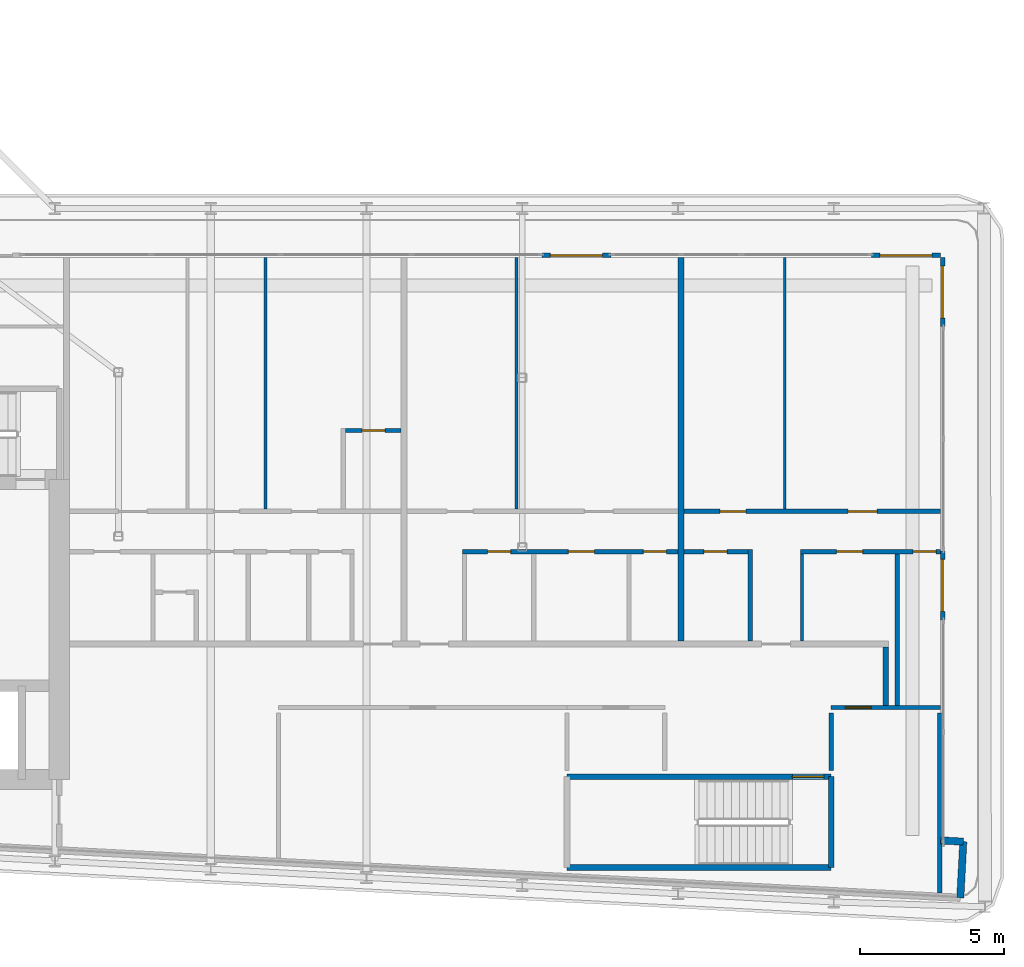
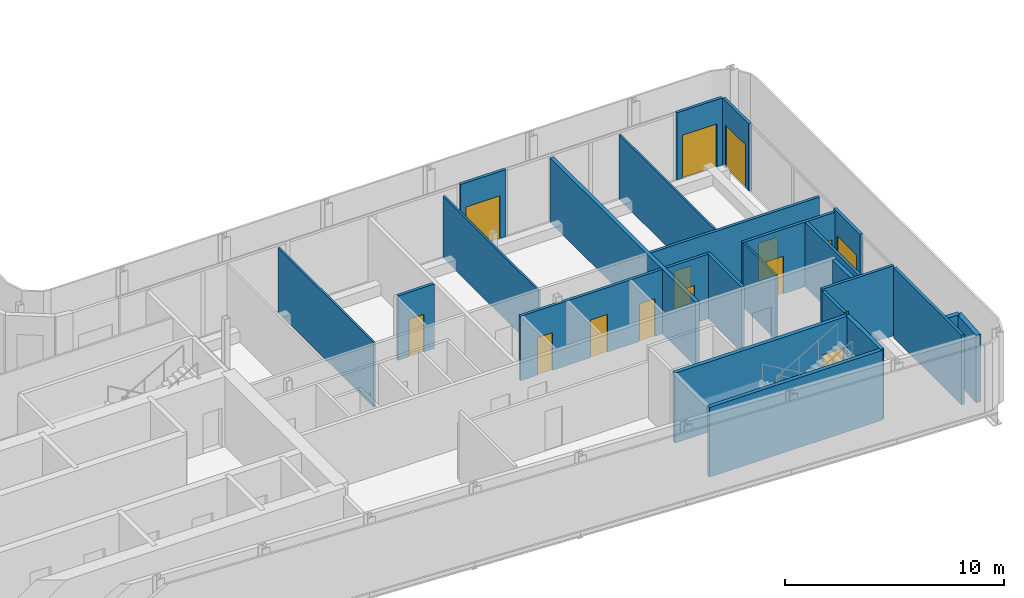
# One storey, part 12 of 22: 25 walls, 15 doors, 15 openings.
"""IFC4 building model written with IfcOpenShell, lengths in metres."""

from ifc_helpers import new_model, si_unit, direction, frame, frame_2d, origin, place, context, subcontext, project, spatial, rectangle, extrude, source, transform, mapped, material, layer, layer_set, type_object, element, fill, save


model = new_model("IFC4")

# Units and contexts
model_context = context("Model", 3, precision=1e-05, world=origin(), true_north=direction((0.0, 1.0)))
body_context = subcontext(model_context, "Body", "Model", "MODEL_VIEW")
ifc_project = project(units=[si_unit("LENGTHUNIT", "METRE"), si_unit("AREAUNIT", "SQUARE_METRE"), si_unit("VOLUMEUNIT", "CUBIC_METRE"), si_unit("PLANEANGLEUNIT", "RADIAN"), si_unit("MASSUNIT", "GRAM", prefix="KILO")], contexts=[model_context])

# Site, building, storey
site_placement = place(None, origin())
site = spatial("IfcSite", under=ifc_project, at=site_placement, CompositionType="ELEMENT")
building_placement = place(site_placement, origin())
building = spatial("IfcBuilding", under=site, at=building_placement, Name="Kheshtan School and Residences Tower", CompositionType="ELEMENT")
storey_placement = place(building_placement, frame((0.0, 0.0, 216.199951171875)))
storey = spatial("IfcBuildingStorey", under=building, at=storey_placement, Name="L50", CompositionType="ELEMENT", Elevation=216.199951171875)

# Walls
ifc_material_1 = material(Name="Gypsum board on steel studs with fire boards", Category="steel")
ifc_layer_1 = layer(ifc_material_1, 0.199951171875)
ifc_layer_set_1 = layer_set([ifc_layer_1], Name="Corridor wall 200")
wall_type_1 = type_object("IfcWallType", Name="Corridor wall 200", PredefinedType="PARTITIONING", material=ifc_layer_set_1)
wall_1_placement = place(storey_placement, frame((81.800048828125, 28.3740234375, 0.0), z_axis=(0.0, 0.0, 1.0), x_axis=(0.0, 1.0, 0.0)))
element("IfcWall", 1, at=wall_1_placement, inside=storey, type_object=wall_type_1, Name="Partition L50-051", PredefinedType="PARTITIONING", context=body_context, shape_type="SweptSolid", body=[
    extrude(rectangle(XDim=2.02587890625, YDim=0.199951171875, at=frame_2d((1.012939453125, 0.0))), origin(), (0.0, 0.0, 1.0), 3.60009765625),
])
ifc_material_2 = material(Name="Concrete C40/50 with ceramic cladding and mineral wool insulation", Category="concrete")
ifc_layer_2 = layer(ifc_material_2, 0.25)
ifc_layer_set_2 = layer_set([ifc_layer_2], Name="External wall 250 ceramic clad")
wall_type_2 = type_object("IfcWallType", Name="External wall 250 ceramic clad", PredefinedType="SOLIDWALL", material=ifc_layer_set_2)
wall_2_placement = place(storey_placement, frame((83.70703125, 23.69189453125, 0.0), z_axis=(0.0, 0.0, 1.0), x_axis=(0.998561284263, -0.053622398031, 0.0)))
element("IfcWall", 2, at=wall_2_placement, inside=storey, type_object=wall_type_2, Name="External wall L50 10", PredefinedType="SOLIDWALL", context=body_context, shape_type="SweptSolid", body=[
    extrude(rectangle(XDim=0.783203125, YDim=0.25, at=frame_2d((0.3916015625, 0.0))), origin(), (0.0, 0.0, 1.0), 3.75),
])
wall_3_placement = place(storey_placement, frame((84.489013671875, 23.64990234375, 0.0), z_axis=(0.0, 0.0, 1.0), x_axis=(-0.052841433274, -0.998602915542, 0.0)))
element("IfcWall", 3, at=wall_3_placement, inside=storey, type_object=wall_type_2, Name="External wall L50 11", PredefinedType="SOLIDWALL", context=body_context, shape_type="SweptSolid", body=[
    extrude(rectangle(XDim=1.94970703125, YDim=0.25, at=frame_2d((0.974853515625, 0.0))), origin(), (0.0, 0.0, 1.0), 3.75),
])

# Wall, opening, door
ifc_material_3 = material(Name="Aluminium frame wall with insulated infill", Category="aluminium")
ifc_layer_3 = layer(ifc_material_3, 0.14990234375)
ifc_layer_set_3 = layer_set([ifc_layer_3], Name="Glazing frame wall 150")
wall_type_3 = type_object("IfcWallType", Name="Glazing frame wall 150", PredefinedType="SOLIDWALL", material=ifc_layer_set_3)
wall_4_placement = place(storey_placement, frame((69.876953125, 43.97509765625, 0.0), z_axis=(0.0, 0.0, 1.0), x_axis=(1.0, 0.0, 0.0)))
wall_4 = element("IfcWall", 4, at=wall_4_placement, inside=storey, type_object=wall_type_3, Name="Balcony door wall L50 8.2", PredefinedType="SOLIDWALL", context=body_context, shape_type="SweptSolid", body=[
    extrude(rectangle(XDim=2.400146484375, YDim=0.14990234375, at=frame_2d((1.2001953125, 0.0))), origin(), (0.0, 0.0, 1.0), 3.75),
])
opening_1_placement = place(wall_4_placement, frame((0.300048828125, 0.0, 0.0)))
opening_1 = element("IfcOpeningElement", 5, at=opening_1_placement, cuts=wall_4, Name="Opening BD", PredefinedType="OPENING", context=body_context, shape_type="SweptSolid", body=[
    extrude(rectangle(XDim=1.800048828125, YDim=2.39990234375, at=frame_2d((0.89990234375, 1.199951171875))), frame((0.0, 0.0849609375, 0.0), z_axis=(0.0, -1.0, 0.0), x_axis=(1.0, 0.0, 0.0)), (0.0, 0.0, 1.0), 0.169921875),
])
ifc_material_4 = material(Name="Clear low-e glass in thermally broken aluminium frame", Category="aluminium")
door_type_1 = type_object("IfcDoorType", Name="Balcony sliding door", OperationType="SLIDING_TO_LEFT", PredefinedType="DOOR", material=ifc_material_4)
shared_shape_1 = source(origin(), body_context, "Body", "SweptSolid", [
    extrude(rectangle(XDim=1.800048828125, YDim=2.39990234375, at=frame_2d((0.89990234375, 1.199951171875))), frame((0.0, 0.02490234375, 0.0), z_axis=(0.0, -1.0, 0.0), x_axis=(1.0, 0.0, 0.0)), (0.0, 0.0, 1.0), 0.050048828125),
])
door_1_placement = place(opening_1_placement, origin())
door_1 = element("IfcDoor", 6, at=door_1_placement, inside=storey, type_object=door_type_1, Name="Balcony door L50 8.2", OperationType="SLIDING_TO_LEFT", OverallHeight=2.39990234375, OverallWidth=1.800048828125, PredefinedType="DOOR", context=body_context, shape_type="MappedRepresentation", body=[
    mapped(shared_shape_1, transform((0.0, 0.0, 0.0), x_axis=(1.0, 0.0, 0.0), y_axis=(0.0, 1.0, 0.0), z_axis=(0.0, 0.0, 1.0), scale=1.0)),
])
fill(opening_1, door_1)

wall_5_placement = place(storey_placement, frame((81.300048828125, 43.97509765625, 0.0), z_axis=(0.0, 0.0, 1.0), x_axis=(1.0, 0.0, 0.0)))
wall_5 = element("IfcWall", 7, at=wall_5_placement, inside=storey, type_object=wall_type_3, Name="Balcony door wall L50 8.3", PredefinedType="SOLIDWALL", context=body_context, shape_type="SweptSolid", body=[
    extrude(rectangle(XDim=2.39990234375, YDim=0.14990234375, at=frame_2d((1.199951171875, 0.0))), origin(), (0.0, 0.0, 1.0), 3.75),
])
opening_2_placement = place(wall_5_placement, frame((0.300048828125, 0.0, 0.0)))
opening_2 = element("IfcOpeningElement", 8, at=opening_2_placement, cuts=wall_5, Name="Opening BD", PredefinedType="OPENING", context=body_context, shape_type="SweptSolid", body=[
    extrude(rectangle(XDim=1.800048828125, YDim=2.39990234375, at=frame_2d((0.89990234375, 1.199951171875))), frame((0.0, 0.0849609375, 0.0), z_axis=(0.0, -1.0, 0.0), x_axis=(1.0, 0.0, 0.0)), (0.0, 0.0, 1.0), 0.169921875),
])
door_2_placement = place(opening_2_placement, origin())
door_2 = element("IfcDoor", 9, at=door_2_placement, inside=storey, type_object=door_type_1, Name="Balcony door L50 8.3", OperationType="SLIDING_TO_LEFT", OverallHeight=2.39990234375, OverallWidth=1.800048828125, PredefinedType="DOOR", context=body_context, shape_type="MappedRepresentation", body=[
    mapped(shared_shape_1, transform((0.0, 0.0, 0.0), x_axis=(1.0, 0.0, 0.0), y_axis=(0.0, 1.0, 0.0), z_axis=(0.0, 0.0, 1.0), scale=1.0)),
])
fill(opening_2, door_2)

wall_6_placement = place(storey_placement, frame((83.77490234375, 43.89990234375, 0.0), z_axis=(0.0, 0.0, 1.0), x_axis=(0.0, -1.0, 0.0)))
wall_6 = element("IfcWall", 10, at=wall_6_placement, inside=storey, type_object=wall_type_3, Name="Balcony door wall L50 9.1", PredefinedType="SOLIDWALL", context=body_context, shape_type="SweptSolid", body=[
    extrude(rectangle(XDim=2.39990234375, YDim=0.14990234375, at=frame_2d((1.199951171875, 0.0))), origin(), (0.0, 0.0, 1.0), 3.75),
])
opening_3_placement = place(wall_6_placement, frame((0.300048828125, 0.0, 0.0)))
opening_3 = element("IfcOpeningElement", 11, at=opening_3_placement, cuts=wall_6, Name="Opening BD", PredefinedType="OPENING", context=body_context, shape_type="SweptSolid", body=[
    extrude(rectangle(XDim=1.800048828125, YDim=2.39990234375, at=frame_2d((0.89990234375, 1.199951171875))), frame((0.0, 0.0849609375, 0.0), z_axis=(0.0, -1.0, 0.0), x_axis=(1.0, 0.0, 0.0)), (0.0, 0.0, 1.0), 0.169921875),
])
door_3_placement = place(opening_3_placement, origin())
door_3 = element("IfcDoor", 12, at=door_3_placement, inside=storey, type_object=door_type_1, Name="Balcony door L50 9.1", OperationType="SLIDING_TO_LEFT", OverallHeight=2.39990234375, OverallWidth=1.800048828125, PredefinedType="DOOR", context=body_context, shape_type="MappedRepresentation", body=[
    mapped(shared_shape_1, transform((0.0, 0.0, 0.0), x_axis=(1.0, 0.0, 0.0), y_axis=(0.0, 1.0, 0.0), z_axis=(0.0, 0.0, 1.0), scale=1.0)),
])
fill(opening_3, door_3)

wall_7_placement = place(storey_placement, frame((83.77490234375, 33.73291015625, 0.0), z_axis=(0.0, 0.0, 1.0), x_axis=(0.0, -1.0, 0.0)))
wall_7 = element("IfcWall", 13, at=wall_7_placement, inside=storey, type_object=wall_type_3, Name="Balcony door wall L50 9.2", PredefinedType="SOLIDWALL", context=body_context, shape_type="SweptSolid", body=[
    extrude(rectangle(XDim=2.39892578125, YDim=0.14990234375, at=frame_2d((1.199462890625, 0.0))), origin(), (0.0, 0.0, 1.0), 3.75),
])
opening_4_placement = place(wall_7_placement, frame((0.300048828125, 0.0, 0.0)))
opening_4 = element("IfcOpeningElement", 14, at=opening_4_placement, cuts=wall_7, Name="Opening BD", PredefinedType="OPENING", context=body_context, shape_type="SweptSolid", body=[
    extrude(rectangle(XDim=1.800048828125, YDim=2.39990234375, at=frame_2d((0.89990234375, 1.199951171875))), frame((0.0, 0.0849609375, 0.0), z_axis=(0.0, -1.0, 0.0), x_axis=(1.0, 0.0, 0.0)), (0.0, 0.0, 1.0), 0.169921875),
])
door_4_placement = place(opening_4_placement, origin())
door_4 = element("IfcDoor", 15, at=door_4_placement, inside=storey, type_object=door_type_1, Name="Balcony door L50 9.2", OperationType="SLIDING_TO_LEFT", OverallHeight=2.39990234375, OverallWidth=1.800048828125, PredefinedType="DOOR", context=body_context, shape_type="MappedRepresentation", body=[
    mapped(shared_shape_1, transform((0.0, 0.0, 0.0), x_axis=(1.0, 0.0, 0.0), y_axis=(0.0, 1.0, 0.0), z_axis=(0.0, 0.0, 1.0), scale=1.0)),
])
fill(opening_4, door_4)

# Walls
ifc_material_5 = material(Name="Gypsum board on steel studs", Category="steel")
ifc_layer_4 = layer(ifc_material_5, 0.10009765625)
ifc_layer_set_4 = layer_set([ifc_layer_4], Name="Gypsum partition 100")
wall_type_4 = type_object("IfcWallType", Name="Gypsum partition 100", PredefinedType="PARTITIONING", material=ifc_layer_set_4)
wall_8_placement = place(storey_placement, frame((60.300048828125, 35.175048828125, 0.0), z_axis=(0.0, 0.0, 1.0), x_axis=(0.0, 1.0, 0.0)))
element("IfcWall", 16, at=wall_8_placement, inside=storey, type_object=wall_type_4, Name="Partition L50-032", PredefinedType="PARTITIONING", context=body_context, shape_type="SweptSolid", body=[
    extrude(rectangle(XDim=8.724853515625, YDim=0.10009765625, at=frame_2d((4.3623046875, 0.0))), origin(), (0.0, 0.0, 1.0), 3.60009765625),
])
wall_9_placement = place(storey_placement, frame((69.0, 35.175048828125, 0.0), z_axis=(0.0, 0.0, 1.0), x_axis=(0.0, 1.0, 0.0)))
element("IfcWall", 17, at=wall_9_placement, inside=storey, type_object=wall_type_4, Name="Partition L50-041", PredefinedType="PARTITIONING", context=body_context, shape_type="SweptSolid", body=[
    extrude(rectangle(XDim=8.724853515625, YDim=0.10009765625, at=frame_2d((4.3623046875, 0.0))), origin(), (0.0, 0.0, 1.0), 3.447021484375),
])
wall_10_placement = place(storey_placement, frame((78.300048828125, 35.175048828125, 0.0), z_axis=(0.0, 0.0, 1.0), x_axis=(0.0, 1.0, 0.0)))
element("IfcWall", 18, at=wall_10_placement, inside=storey, type_object=wall_type_4, Name="Partition L50-048", PredefinedType="PARTITIONING", context=body_context, shape_type="SweptSolid", body=[
    extrude(rectangle(XDim=8.724853515625, YDim=0.10009765625, at=frame_2d((4.3623046875, 0.0))), origin(), (0.0, 0.0, 1.0), 3.60009765625),
])
wall_11_placement = place(storey_placement, frame((78.89990234375, 30.60009765625, 0.0), z_axis=(0.0, 0.0, 1.0), x_axis=(0.0, 1.0, 0.0)))
element("IfcWall", 19, at=wall_11_placement, inside=storey, type_object=wall_type_4, Name="Partition L50-050", PredefinedType="PARTITIONING", context=body_context, shape_type="SweptSolid", body=[
    extrude(rectangle(XDim=3.02490234375, YDim=0.10009765625, at=frame_2d((1.512451171875, 0.0))), origin(), (0.0, 0.0, 1.0), 3.60009765625),
])

# Wall, opening, door
ifc_material_6 = material(Name="Fire-board shaft wall system")
ifc_layer_5 = layer(ifc_material_6, 0.14990234375)
ifc_layer_set_5 = layer_set([ifc_layer_5], Name="Service room wall 150")
wall_type_5 = type_object("IfcWallType", Name="Service room wall 150", PredefinedType="PARTITIONING", material=ifc_layer_set_5)
wall_12_placement = place(storey_placement, frame((79.909912109375, 28.300048828125, 0.0), z_axis=(0.0, 0.0, 1.0), x_axis=(1.0, 0.0, 0.0)))
wall_12 = element("IfcWall", 20, at=wall_12_placement, inside=storey, type_object=wall_type_5, Name="Service room wall", PredefinedType="PARTITIONING", context=body_context, shape_type="SweptSolid", body=[
    extrude(rectangle(XDim=3.7880859375, YDim=0.14990234375, at=frame_2d((1.89404296875, 0.0))), origin(), (0.0, 0.0, 1.0), 3.900146484375),
])
opening_5_placement = place(wall_12_placement, frame((0.4951171875, 0.0, 0.0)))
opening_5 = element("IfcOpeningElement", 21, at=opening_5_placement, cuts=wall_12, Name="Opening SR90", PredefinedType="OPENING", context=body_context, shape_type="SweptSolid", body=[
    extrude(rectangle(XDim=0.89990234375, YDim=2.199951171875, at=frame_2d((0.449951171875, 1.10009765625))), frame((0.0, 0.0849609375, 0.0), z_axis=(0.0, -1.0, 0.0), x_axis=(1.0, 0.0, 0.0)), (0.0, 0.0, 1.0), 0.169921875),
])
ifc_material_7 = material(Name="Steel door leaf, galvanised", Category="steel")
door_type_2 = type_object("IfcDoorType", Name="Service room door 900 steel 90 min", OperationType="SINGLE_SWING_LEFT", PredefinedType="DOOR", material=ifc_material_7)
shared_shape_2 = source(origin(), body_context, "Body", "SweptSolid", [
    extrude(rectangle(XDim=0.89990234375, YDim=2.199951171875, at=frame_2d((0.449951171875, 1.10009765625))), frame((0.0, 0.02490234375, 0.0), z_axis=(0.0, -1.0, 0.0), x_axis=(1.0, 0.0, 0.0)), (0.0, 0.0, 1.0), 0.050048828125),
])
door_5_placement = place(opening_5_placement, origin())
door_5 = element("IfcDoor", 22, at=door_5_placement, inside=storey, type_object=door_type_2, Name="Service room door", OperationType="SINGLE_SWING_RIGHT", OverallHeight=2.199951171875, OverallWidth=0.89990234375, PredefinedType="DOOR", context=body_context, shape_type="MappedRepresentation", body=[
    mapped(shared_shape_2, transform((0.0, 0.0, 0.0), x_axis=(1.0, 0.0, 0.0), y_axis=(0.0, 1.0, 0.0), z_axis=(0.0, 0.0, 1.0), scale=1.0)),
])
fill(opening_5, door_5)

# Walls
wall_13_placement = place(storey_placement, frame((79.909912109375, 26.1201171875, 0.0), z_axis=(0.0, 0.0, 1.0), x_axis=(0.0, 1.0, 0.0)))
element("IfcWall", 23, at=wall_13_placement, inside=storey, type_object=wall_type_5, Name="Service room wall", PredefinedType="PARTITIONING", context=body_context, shape_type="SweptSolid", body=[
    extrude(rectangle(XDim=1.98486328125, YDim=0.14990234375, at=frame_2d((0.992431640625, 0.0))), origin(), (0.0, 0.0, 1.0), 3.900146484375),
])
wall_14_placement = place(storey_placement, frame((83.669921875, 21.867919921875, 0.0), z_axis=(0.0, 0.0, 1.0), x_axis=(0.0, 1.0, 0.0)))
element("IfcWall", 24, at=wall_14_placement, inside=storey, type_object=wall_type_5, Name="Service room wall", PredefinedType="PARTITIONING", context=body_context, shape_type="SweptSolid", body=[
    extrude(rectangle(XDim=6.237060546875, YDim=0.14990234375, at=frame_2d((3.11865234375, 0.0))), origin(), (0.0, 0.0, 1.0), 3.900146484375),
])
ifc_material_8 = material(Name="Concrete C40/50", Category="concrete")
ifc_layer_6 = layer(ifc_material_8, 0.199951171875)
ifc_layer_set_6 = layer_set([ifc_layer_6], Name="Stair enclosure wall 200 Concrete C40/50")
wall_type_6 = type_object("IfcWallType", Name="Stair enclosure wall 200 Concrete C40/50", PredefinedType="SHEAR", material=ifc_layer_set_6)
wall_15_placement = place(storey_placement, frame((70.75, 22.75, 0.0), z_axis=(0.0, 0.0, 1.0), x_axis=(1.0, 0.0, 0.0)))
element("IfcWall", 25, at=wall_15_placement, inside=storey, type_object=wall_type_6, Name="Stair enclosure wall ST5", PredefinedType="SHEAR", context=body_context, shape_type="SweptSolid", body=[
    extrude(rectangle(XDim=9.159912109375, YDim=0.199951171875, at=frame_2d((4.580078125, 0.0))), origin(), (0.0, 0.0, 1.0), 3.900146484375),
])

# Wall, opening, door
wall_16_placement = place(storey_placement, frame((70.75, 25.89990234375, 0.0), z_axis=(0.0, 0.0, 1.0), x_axis=(1.0, 0.0, 0.0)))
wall_16 = element("IfcWall", 26, at=wall_16_placement, inside=storey, type_object=wall_type_6, Name="Stair enclosure wall ST5", PredefinedType="SHEAR", context=body_context, shape_type="SweptSolid", body=[
    extrude(rectangle(XDim=9.159912109375, YDim=0.199951171875, at=frame_2d((4.580078125, 0.0))), origin(), (0.0, 0.0, 1.0), 3.900146484375),
])
opening_6_placement = place(wall_16_placement, frame((7.81005859375, 0.0, 0.0)))
opening_6 = element("IfcOpeningElement", 27, at=opening_6_placement, cuts=wall_16, Name="Opening ST5D", PredefinedType="OPENING", context=body_context, shape_type="SweptSolid", body=[
    extrude(rectangle(XDim=1.10009765625, YDim=2.199951171875, at=frame_2d((0.550048828125, 1.10009765625))), frame((0.0, 0.10986328125, 0.0), z_axis=(0.0, -1.0, 0.0), x_axis=(1.0, 0.0, 0.0)), (0.0, 0.0, 1.0), 0.219970703125),
])
door_type_3 = type_object("IfcDoorType", Name="Stair door 1100 steel 90 min", OperationType="SINGLE_SWING_LEFT", PredefinedType="DOOR", material=ifc_material_7)
shared_shape_3 = source(origin(), body_context, "Body", "SweptSolid", [
    extrude(rectangle(XDim=1.10009765625, YDim=2.199951171875, at=frame_2d((0.550048828125, 1.10009765625))), frame((0.0, 0.02490234375, 0.0), z_axis=(0.0, -1.0, 0.0), x_axis=(1.0, 0.0, 0.0)), (0.0, 0.0, 1.0), 0.050048828125),
])
door_6_placement = place(opening_6_placement, origin())
door_6 = element("IfcDoor", 28, at=door_6_placement, inside=storey, type_object=door_type_3, Name="Stair ST5 door", OperationType="SINGLE_SWING_LEFT", OverallHeight=2.199951171875, OverallWidth=1.10009765625, PredefinedType="DOOR", context=body_context, shape_type="MappedRepresentation", body=[
    mapped(shared_shape_3, transform((0.0, 0.0, 0.0), x_axis=(1.0, 0.0, 0.0), y_axis=(0.0, 1.0, 0.0), z_axis=(0.0, 0.0, 1.0), scale=1.0)),
])
fill(opening_6, door_6)

# Walls
wall_17_placement = place(storey_placement, frame((79.909912109375, 22.75, 0.0), z_axis=(0.0, 0.0, 1.0), x_axis=(0.0, 1.0, 0.0)))
element("IfcWall", 29, at=wall_17_placement, inside=storey, type_object=wall_type_6, Name="Stair enclosure wall ST5", PredefinedType="SHEAR", context=body_context, shape_type="SweptSolid", body=[
    extrude(rectangle(XDim=3.14990234375, YDim=0.199951171875, at=frame_2d((1.574951171875, 0.0))), origin(), (0.0, 0.0, 1.0), 3.900146484375),
])
ifc_material_9 = material(Name="Twin gypsum board on steel studs with mineral wool", Category="steel")
ifc_layer_7 = layer(ifc_material_9, 0.199951171875)
ifc_layer_set_7 = layer_set([ifc_layer_7], Name="Unit demising wall 200")
wall_type_7 = type_object("IfcWallType", Name="Unit demising wall 200", PredefinedType="PARTITIONING", material=ifc_layer_set_7)
wall_18_placement = place(storey_placement, frame((74.699951171875, 30.60009765625, 0.0), z_axis=(0.0, 0.0, 1.0), x_axis=(0.0, 1.0, 0.0)))
element("IfcWall", 30, at=wall_18_placement, inside=storey, type_object=wall_type_7, Name="Partition L50-044", PredefinedType="PARTITIONING", context=body_context, shape_type="SweptSolid", body=[
    extrude(rectangle(XDim=13.2998046875, YDim=0.199951171875, at=frame_2d((6.64990234375, 0.0))), origin(), (0.0, 0.0, 1.0), 3.60009765625),
])

# Wall, opening, door
ifc_material_10 = material(Name="Moisture-resistant gypsum board on steel studs", Category="steel")
ifc_layer_8 = layer(ifc_material_10, 0.14990234375)
ifc_layer_set_8 = layer_set([ifc_layer_8], Name="Wet-room partition 150")
wall_type_8 = type_object("IfcWallType", Name="Wet-room partition 150", PredefinedType="PARTITIONING", material=ifc_layer_set_8)
wall_19_placement = place(storey_placement, frame((63.074951171875, 37.89990234375, 0.0), z_axis=(0.0, 0.0, 1.0), x_axis=(1.0, 0.0, 0.0)))
wall_19 = element("IfcWall", 31, at=wall_19_placement, inside=storey, type_object=wall_type_8, Name="Partition L50-035", PredefinedType="PARTITIONING", context=body_context, shape_type="SweptSolid", body=[
    extrude(rectangle(XDim=1.925048828125, YDim=0.14990234375, at=frame_2d((0.96240234375, 0.0))), origin(), (0.0, 0.0, 1.0), 3.60009765625),
])
opening_7_placement = place(wall_19_placement, frame((0.574951171875, 0.0, 0.0)))
opening_7 = element("IfcOpeningElement", 32, at=opening_7_placement, cuts=wall_19, Name="Opening D50-003", PredefinedType="OPENING", context=body_context, shape_type="SweptSolid", body=[
    extrude(rectangle(XDim=0.800048828125, YDim=2.10009765625, at=frame_2d((0.39990234375, 1.050048828125))), frame((0.0, 0.0849609375, 0.0), z_axis=(0.0, -1.0, 0.0), x_axis=(1.0, 0.0, 0.0)), (0.0, 0.0, 1.0), 0.169921875),
])
ifc_material_11 = material(Name="Veneered timber door leaf", Category="wood")
door_type_4 = type_object("IfcDoorType", Name="Door 800 x 2100", OperationType="SINGLE_SWING_LEFT", PredefinedType="DOOR", material=ifc_material_11)
shared_shape_4 = source(origin(), body_context, "Body", "SweptSolid", [
    extrude(rectangle(XDim=0.800048828125, YDim=2.10009765625, at=frame_2d((0.39990234375, 1.050048828125))), frame((0.0, 0.02490234375, 0.0), z_axis=(0.0, -1.0, 0.0), x_axis=(1.0, 0.0, 0.0)), (0.0, 0.0, 1.0), 0.050048828125),
])
door_7_placement = place(opening_7_placement, origin())
door_7 = element("IfcDoor", 33, at=door_7_placement, inside=storey, type_object=door_type_4, Name="Door D50-003", OperationType="SINGLE_SWING_LEFT", OverallHeight=2.10009765625, OverallWidth=0.800048828125, PredefinedType="DOOR", context=body_context, shape_type="MappedRepresentation", body=[
    mapped(shared_shape_4, transform((0.0, 0.0, 0.0), x_axis=(1.0, 0.0, 0.0), y_axis=(0.0, 1.0, 0.0), z_axis=(0.0, 0.0, 1.0), scale=1.0)),
])
fill(opening_7, door_7)

# Wall, openings, doors
wall_20_placement = place(storey_placement, frame((67.125, 33.699951171875, 0.0), z_axis=(0.0, 0.0, 1.0), x_axis=(1.0, 0.0, 0.0)))
wall_20 = element("IfcWall", 34, at=wall_20_placement, inside=storey, type_object=wall_type_8, Name="Partition L50-039", PredefinedType="PARTITIONING", context=body_context, shape_type="SweptSolid", body=[
    extrude(rectangle(XDim=7.47509765625, YDim=0.14990234375, at=frame_2d((3.737548828125, 0.0))), origin(), (0.0, 0.0, 1.0), 3.60009765625),
])
opening_8_placement = place(wall_20_placement, frame((0.875, 0.0, 0.0)))
opening_8 = element("IfcOpeningElement", 35, at=opening_8_placement, cuts=wall_20, Name="Opening D50-011", PredefinedType="OPENING", context=body_context, shape_type="SweptSolid", body=[
    extrude(rectangle(XDim=0.800048828125, YDim=2.10009765625, at=frame_2d((0.39990234375, 1.050048828125))), frame((0.0, 0.0849609375, 0.0), z_axis=(0.0, -1.0, 0.0), x_axis=(1.0, 0.0, 0.0)), (0.0, 0.0, 1.0), 0.169921875),
])
opening_9_placement = place(wall_20_placement, frame((3.675048828125, 0.0, 0.0)))
opening_9 = element("IfcOpeningElement", 36, at=opening_9_placement, cuts=wall_20, Name="Opening D50-014", PredefinedType="OPENING", context=body_context, shape_type="SweptSolid", body=[
    extrude(rectangle(XDim=0.89990234375, YDim=2.10009765625, at=frame_2d((0.449951171875, 1.050048828125))), frame((0.0, 0.0849609375, 0.0), z_axis=(0.0, -1.0, 0.0), x_axis=(1.0, 0.0, 0.0)), (0.0, 0.0, 1.0), 0.169921875),
])
opening_10_placement = place(wall_20_placement, frame((6.27490234375, 0.0, 0.0)))
opening_10 = element("IfcOpeningElement", 37, at=opening_10_placement, cuts=wall_20, Name="Opening D50-016", PredefinedType="OPENING", context=body_context, shape_type="SweptSolid", body=[
    extrude(rectangle(XDim=0.800048828125, YDim=2.10009765625, at=frame_2d((0.39990234375, 1.050048828125))), frame((0.0, 0.0849609375, 0.0), z_axis=(0.0, -1.0, 0.0), x_axis=(1.0, 0.0, 0.0)), (0.0, 0.0, 1.0), 0.169921875),
])
door_8_placement = place(opening_8_placement, origin())
door_8 = element("IfcDoor", 38, at=door_8_placement, inside=storey, type_object=door_type_4, Name="Door D50-011", OperationType="SINGLE_SWING_RIGHT", OverallHeight=2.10009765625, OverallWidth=0.800048828125, PredefinedType="DOOR", context=body_context, shape_type="MappedRepresentation", body=[
    mapped(shared_shape_4, transform((0.0, 0.0, 0.0), x_axis=(1.0, 0.0, 0.0), y_axis=(0.0, 1.0, 0.0), z_axis=(0.0, 0.0, 1.0), scale=1.0)),
])
fill(opening_8, door_8)
door_9_placement = place(opening_10_placement, origin())
door_9 = element("IfcDoor", 39, at=door_9_placement, inside=storey, type_object=door_type_4, Name="Door D50-016", OperationType="SINGLE_SWING_RIGHT", OverallHeight=2.10009765625, OverallWidth=0.800048828125, PredefinedType="DOOR", context=body_context, shape_type="MappedRepresentation", body=[
    mapped(shared_shape_4, transform((0.0, 0.0, 0.0), x_axis=(1.0, 0.0, 0.0), y_axis=(0.0, 1.0, 0.0), z_axis=(0.0, 0.0, 1.0), scale=1.0)),
])
fill(opening_10, door_9)
door_type_5 = type_object("IfcDoorType", Name="Door 900 x 2100", OperationType="SINGLE_SWING_LEFT", PredefinedType="DOOR", material=ifc_material_11)
shared_shape_5 = source(origin(), body_context, "Body", "SweptSolid", [
    extrude(rectangle(XDim=0.89990234375, YDim=2.10009765625, at=frame_2d((0.449951171875, 1.050048828125))), frame((0.0, 0.02490234375, 0.0), z_axis=(0.0, -1.0, 0.0), x_axis=(1.0, 0.0, 0.0)), (0.0, 0.0, 1.0), 0.050048828125),
])
door_10_placement = place(opening_9_placement, origin())
door_10 = element("IfcDoor", 40, at=door_10_placement, inside=storey, type_object=door_type_5, Name="Door D50-014", OperationType="SINGLE_SWING_RIGHT", OverallHeight=2.10009765625, OverallWidth=0.89990234375, PredefinedType="DOOR", context=body_context, shape_type="MappedRepresentation", body=[
    mapped(shared_shape_5, transform((0.0, 0.0, 0.0), x_axis=(1.0, 0.0, 0.0), y_axis=(0.0, 1.0, 0.0), z_axis=(0.0, 0.0, 1.0), scale=1.0)),
])
fill(opening_9, door_10)

# Wall, opening, door
wall_21_placement = place(storey_placement, frame((74.800048828125, 33.699951171875, 0.0), z_axis=(0.0, 0.0, 1.0), x_axis=(1.0, 0.0, 0.0)))
wall_21 = element("IfcWall", 41, at=wall_21_placement, inside=storey, type_object=wall_type_8, Name="Partition L50-045", PredefinedType="PARTITIONING", context=body_context, shape_type="SweptSolid", body=[
    extrude(rectangle(XDim=2.224853515625, YDim=0.14990234375, at=frame_2d((1.1123046875, 0.0))), origin(), (0.0, 0.0, 1.0), 3.60009765625),
])
opening_11_placement = place(wall_21_placement, frame((0.699951171875, 0.0, 0.0)))
opening_11 = element("IfcOpeningElement", 42, at=opening_11_placement, cuts=wall_21, Name="Opening D50-017", PredefinedType="OPENING", context=body_context, shape_type="SweptSolid", body=[
    extrude(rectangle(XDim=0.800048828125, YDim=2.10009765625, at=frame_2d((0.39990234375, 1.050048828125))), frame((0.0, 0.0849609375, 0.0), z_axis=(0.0, -1.0, 0.0), x_axis=(1.0, 0.0, 0.0)), (0.0, 0.0, 1.0), 0.169921875),
])
door_11_placement = place(opening_11_placement, origin())
door_11 = element("IfcDoor", 43, at=door_11_placement, inside=storey, type_object=door_type_4, Name="Door D50-017", OperationType="SINGLE_SWING_RIGHT", OverallHeight=2.10009765625, OverallWidth=0.800048828125, PredefinedType="DOOR", context=body_context, shape_type="MappedRepresentation", body=[
    mapped(shared_shape_4, transform((0.0, 0.0, 0.0), x_axis=(1.0, 0.0, 0.0), y_axis=(0.0, 1.0, 0.0), z_axis=(0.0, 0.0, 1.0), scale=1.0)),
])
fill(opening_11, door_11)

# Wall, openings, doors
wall_22_placement = place(storey_placement, frame((74.800048828125, 35.10009765625, 0.0), z_axis=(0.0, 0.0, 1.0), x_axis=(1.0, 0.0, 0.0)))
wall_22 = element("IfcWall", 44, at=wall_22_placement, inside=storey, type_object=wall_type_8, Name="Partition L50-046", PredefinedType="PARTITIONING", context=body_context, shape_type="SweptSolid", body=[
    extrude(rectangle(XDim=8.89990234375, YDim=0.14990234375, at=frame_2d((4.449951171875, 0.0))), origin(), (0.0, 0.0, 1.0), 3.60009765625),
])
opening_12_placement = place(wall_22_placement, frame((1.25, 0.0, 0.0)))
opening_12 = element("IfcOpeningElement", 45, at=opening_12_placement, cuts=wall_22, Name="Opening D50-018", PredefinedType="OPENING", context=body_context, shape_type="SweptSolid", body=[
    extrude(rectangle(XDim=0.89990234375, YDim=2.10009765625, at=frame_2d((0.449951171875, 1.050048828125))), frame((0.0, 0.0849609375, 0.0), z_axis=(0.0, -1.0, 0.0), x_axis=(1.0, 0.0, 0.0)), (0.0, 0.0, 1.0), 0.169921875),
])
opening_13_placement = place(wall_22_placement, frame((5.699951171875, 0.0, 0.0)))
opening_13 = element("IfcOpeningElement", 46, at=opening_13_placement, cuts=wall_22, Name="Opening D50-021", PredefinedType="OPENING", context=body_context, shape_type="SweptSolid", body=[
    extrude(rectangle(XDim=1.0, YDim=2.10009765625, at=frame_2d((0.5, 1.050048828125))), frame((0.0, 0.0849609375, 0.0), z_axis=(0.0, -1.0, 0.0), x_axis=(1.0, 0.0, 0.0)), (0.0, 0.0, 1.0), 0.169921875),
])
door_type_6 = type_object("IfcDoorType", Name="Door 1000 x 2100", OperationType="SINGLE_SWING_LEFT", PredefinedType="DOOR", material=ifc_material_11)
shared_shape_6 = source(origin(), body_context, "Body", "SweptSolid", [
    extrude(rectangle(XDim=1.0, YDim=2.10009765625, at=frame_2d((0.5, 1.050048828125))), frame((0.0, 0.02490234375, 0.0), z_axis=(0.0, -1.0, 0.0), x_axis=(1.0, 0.0, 0.0)), (0.0, 0.0, 1.0), 0.050048828125),
])
door_12_placement = place(opening_13_placement, origin())
door_12 = element("IfcDoor", 47, at=door_12_placement, inside=storey, type_object=door_type_6, Name="Door D50-021", OperationType="SINGLE_SWING_RIGHT", OverallHeight=2.10009765625, OverallWidth=1.0, PredefinedType="DOOR", context=body_context, shape_type="MappedRepresentation", body=[
    mapped(shared_shape_6, transform((0.0, 0.0, 0.0), x_axis=(1.0, 0.0, 0.0), y_axis=(0.0, 1.0, 0.0), z_axis=(0.0, 0.0, 1.0), scale=1.0)),
])
fill(opening_13, door_12)
door_13_placement = place(opening_12_placement, origin())
door_13 = element("IfcDoor", 48, at=door_13_placement, inside=storey, type_object=door_type_5, Name="Door D50-018", OperationType="SINGLE_SWING_RIGHT", OverallHeight=2.10009765625, OverallWidth=0.89990234375, PredefinedType="DOOR", context=body_context, shape_type="MappedRepresentation", body=[
    mapped(shared_shape_5, transform((0.0, 0.0, 0.0), x_axis=(1.0, 0.0, 0.0), y_axis=(0.0, 1.0, 0.0), z_axis=(0.0, 0.0, 1.0), scale=1.0)),
])
fill(opening_12, door_13)

# Wall
wall_23_placement = place(storey_placement, frame((77.10009765625, 30.60009765625, 0.0), z_axis=(0.0, 0.0, 1.0), x_axis=(0.0, 1.0, 0.0)))
element("IfcWall", 49, at=wall_23_placement, inside=storey, type_object=wall_type_8, Name="Partition L50-047", PredefinedType="PARTITIONING", context=body_context, shape_type="SweptSolid", body=[
    extrude(rectangle(XDim=3.1748046875, YDim=0.14990234375, at=frame_2d((1.58740234375, 0.0))), origin(), (0.0, 0.0, 1.0), 3.60009765625),
])

# Wall, openings, doors
wall_24_placement = place(storey_placement, frame((78.85009765625, 33.699951171875, 0.0), z_axis=(0.0, 0.0, 1.0), x_axis=(1.0, 0.0, 0.0)))
wall_24 = element("IfcWall", 50, at=wall_24_placement, inside=storey, type_object=wall_type_8, Name="Partition L50-049", PredefinedType="PARTITIONING", context=body_context, shape_type="SweptSolid", body=[
    extrude(rectangle(XDim=4.849853515625, YDim=0.14990234375, at=frame_2d((2.4248046875, 0.0))), origin(), (0.0, 0.0, 1.0), 3.60009765625),
])
opening_14_placement = place(wall_24_placement, frame((1.25, 0.0, 0.0)))
opening_14 = element("IfcOpeningElement", 51, at=opening_14_placement, cuts=wall_24, Name="Opening D50-020", PredefinedType="OPENING", context=body_context, shape_type="SweptSolid", body=[
    extrude(rectangle(XDim=0.89990234375, YDim=2.10009765625, at=frame_2d((0.449951171875, 1.050048828125))), frame((0.0, 0.0849609375, 0.0), z_axis=(0.0, -1.0, 0.0), x_axis=(1.0, 0.0, 0.0)), (0.0, 0.0, 1.0), 0.169921875),
])
opening_15_placement = place(wall_24_placement, frame((3.89990234375, 0.0, 0.0)))
opening_15 = element("IfcOpeningElement", 52, at=opening_15_placement, cuts=wall_24, Name="Opening D50-022", PredefinedType="OPENING", context=body_context, shape_type="SweptSolid", body=[
    extrude(rectangle(XDim=0.800048828125, YDim=2.10009765625, at=frame_2d((0.39990234375, 1.050048828125))), frame((0.0, 0.0849609375, 0.0), z_axis=(0.0, -1.0, 0.0), x_axis=(1.0, 0.0, 0.0)), (0.0, 0.0, 1.0), 0.169921875),
])
door_14_placement = place(opening_15_placement, origin())
door_14 = element("IfcDoor", 53, at=door_14_placement, inside=storey, type_object=door_type_4, Name="Door D50-022", OperationType="SINGLE_SWING_LEFT", OverallHeight=2.10009765625, OverallWidth=0.800048828125, PredefinedType="DOOR", context=body_context, shape_type="MappedRepresentation", body=[
    mapped(shared_shape_4, transform((0.0, 0.0, 0.0), x_axis=(1.0, 0.0, 0.0), y_axis=(0.0, 1.0, 0.0), z_axis=(0.0, 0.0, 1.0), scale=1.0)),
])
fill(opening_15, door_14)
door_15_placement = place(opening_14_placement, origin())
door_15 = element("IfcDoor", 54, at=door_15_placement, inside=storey, type_object=door_type_5, Name="Door D50-020", OperationType="SINGLE_SWING_LEFT", OverallHeight=2.10009765625, OverallWidth=0.89990234375, PredefinedType="DOOR", context=body_context, shape_type="MappedRepresentation", body=[
    mapped(shared_shape_5, transform((0.0, 0.0, 0.0), x_axis=(1.0, 0.0, 0.0), y_axis=(0.0, 1.0, 0.0), z_axis=(0.0, 0.0, 1.0), scale=1.0)),
])
fill(opening_14, door_15)

# Wall
wall_25_placement = place(storey_placement, frame((82.199951171875, 28.3740234375, 0.0), z_axis=(0.0, 0.0, 1.0), x_axis=(0.0, 1.0, 0.0)))
element("IfcWall", 55, at=wall_25_placement, inside=storey, type_object=wall_type_8, Name="Partition L50-052", PredefinedType="PARTITIONING", context=body_context, shape_type="SweptSolid", body=[
    extrude(rectangle(XDim=5.2509765625, YDim=0.14990234375, at=frame_2d((2.62548828125, 0.0))), origin(), (0.0, 0.0, 1.0), 3.60009765625),
])

save(model, "model.ifc")
